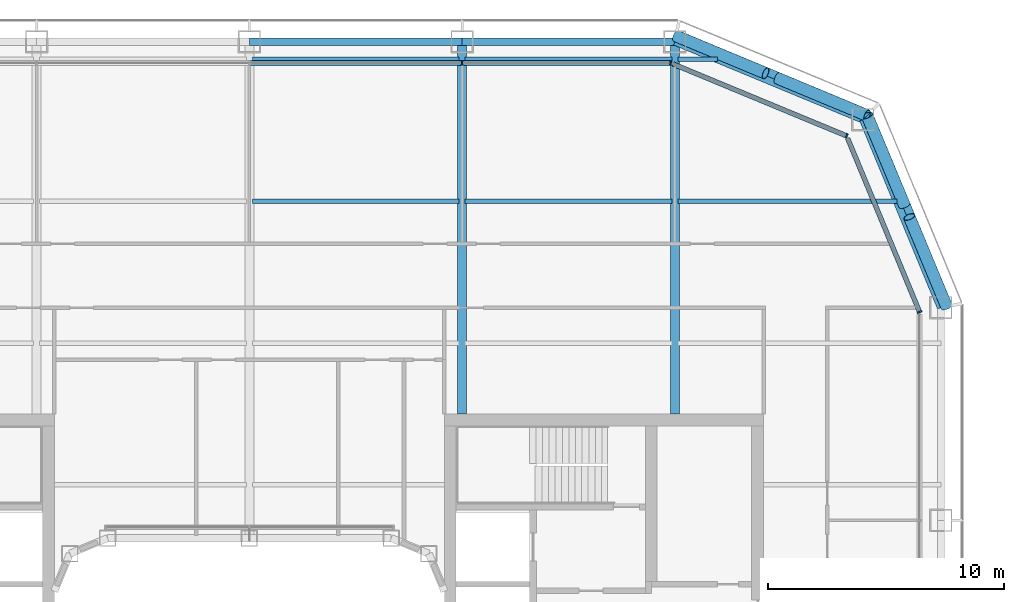
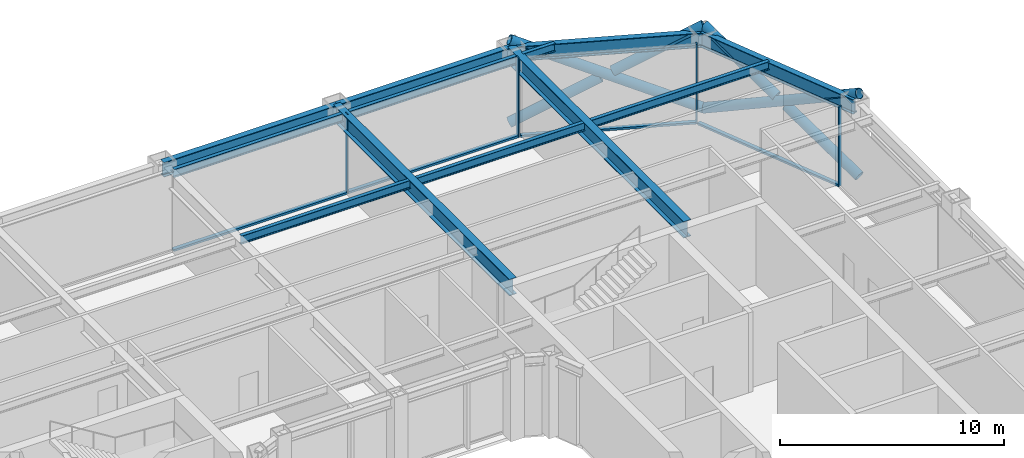
# One storey, part 9 of 23: 14 members, 12 beams, 3 elements without a shape of their own.
"""IFC4 building model written with IfcOpenShell, lengths in metres."""

from ifc_helpers import new_model, si_unit, direction, frame, origin, origin_2d, place, context, subcontext, project, spatial, rectangle, hollow_circle, i_section, extrude, material, layer, layer_set, material_profile, profile_set, type_object, element, aggregate, save


model = new_model("IFC4")

# Units and contexts
model_context = context("Model", 3, precision=1e-05, world=origin(), true_north=direction((0.0, 1.0)))
body_context = subcontext(model_context, "Body", "Model", "MODEL_VIEW")
ifc_project = project(units=[si_unit("LENGTHUNIT", "METRE"), si_unit("AREAUNIT", "SQUARE_METRE"), si_unit("VOLUMEUNIT", "CUBIC_METRE"), si_unit("PLANEANGLEUNIT", "RADIAN"), si_unit("MASSUNIT", "GRAM", prefix="KILO")], contexts=[model_context])

# Site, building, storey
site_placement = place(None, origin())
site = spatial("IfcSite", under=ifc_project, at=site_placement, CompositionType="ELEMENT")
building_placement = place(site_placement, origin())
building = spatial("IfcBuilding", under=site, at=building_placement, Name="Siwar Civic Tower", CompositionType="ELEMENT")
storey_placement = place(building_placement, frame((0.0, 0.0, 127.199951171875)))
storey = spatial("IfcBuildingStorey", under=building, at=storey_placement, Name="L27", CompositionType="ELEMENT", Elevation=127.199951171875)

# Curtain wall, member
ifc_material_1 = material(Name="Aluminium clad insulated panel", Category="aluminium")
ifc_layer_1 = layer(ifc_material_1, 0.199951171875)
ifc_layer_set_1 = layer_set([ifc_layer_1], Name="Aluminium clad insulated panel")
curtain_wall_type_1 = type_object("IfcCurtainWallType", Name="ENV-CW-BX", PredefinedType="NOTDEFINED", material=ifc_layer_set_1)
curtain_wall_1_placement = place(storey_placement, origin())
curtain_wall_1 = element("IfcCurtainWall", 1, at=curtain_wall_1_placement, inside=storey, type_object=curtain_wall_type_1, Name="Curtain wall B NE1", PredefinedType="NOTDEFINED")
ifc_material_2 = material(Name="Aluminium 6063-T6", Category="aluminium")
ifc_material_profile_1 = material_profile(ifc_material_2, rectangle(XDim=0.199951171875, YDim=0.06494140625, at=origin_2d()), Name="AL 200x65")
ifc_profile_set_1 = profile_set([ifc_material_profile_1], Name="Aluminium 6063-T6")
member_type_1 = type_object("IfcMemberType", Name="ENV-MULLION-B", PredefinedType="MULLION", material=ifc_profile_set_1)
member_1_placement = place(storey_placement, frame((28.35009765625, 17.821044921875, 0.0), z_axis=(0.0, 0.0, 1.0), x_axis=(-0.923879532511, -0.382683432365, 0.0)))
member_1 = element("IfcMember", 2, at=member_1_placement, type_object=member_type_1, Name="Mullion B NE1 1", PredefinedType="MULLION", context=body_context, shape_type="SweptSolid", body=[
    extrude(rectangle(XDim=0.199951171875, YDim=0.06494140625, at=origin_2d()), origin(), (0.0, 0.0, 1.0), 4.35009765625),
])

curtain_wall_2_placement = place(storey_placement, origin())
curtain_wall_2 = element("IfcCurtainWall", 3, at=curtain_wall_2_placement, inside=storey, type_object=curtain_wall_type_1, Name="Curtain wall B NE2", PredefinedType="NOTDEFINED")
member_2_placement = place(storey_placement, frame((25.26611328125, 25.26611328125, 0.0), z_axis=(0.0, 0.0, 1.0), x_axis=(-0.382683432365, -0.923879532511, 0.0)))
member_2 = element("IfcMember", 4, at=member_2_placement, type_object=member_type_1, Name="Mullion B NE2 1", PredefinedType="MULLION", context=body_context, shape_type="SweptSolid", body=[
    extrude(rectangle(XDim=0.199951171875, YDim=0.06494140625, at=origin_2d()), origin(), (0.0, 0.0, 1.0), 4.35009765625),
])

# Curtain wall, members
ifc_material_3 = material(Name="Aluminium and glass", Category="aluminium")
ifc_layer_2 = layer(ifc_material_3, 0.199951171875)
ifc_layer_set_2 = layer_set([ifc_layer_2], Name="Aluminium and glass")
curtain_wall_type_2 = type_object("IfcCurtainWallType", Name="ENV-CW-B", PredefinedType="NOTDEFINED", material=ifc_layer_set_2)
curtain_wall_3_placement = place(storey_placement, origin())
curtain_wall_3 = element("IfcCurtainWall", 5, at=curtain_wall_3_placement, inside=storey, type_object=curtain_wall_type_2, Name="Curtain wall B N", PredefinedType="NOTDEFINED")
member_3_placement = place(storey_placement, frame((17.821044921875, 28.35009765625, 0.0), z_axis=(0.0, 0.0, 1.0), x_axis=(0.0, -1.0, 0.0)))
member_3 = element("IfcMember", 6, at=member_3_placement, type_object=member_type_1, Name="Mullion B N 1", PredefinedType="MULLION", context=body_context, shape_type="SweptSolid", body=[
    extrude(rectangle(XDim=0.199951171875, YDim=0.06494140625, at=origin_2d()), origin(), (0.0, 0.0, 1.0), 4.35009765625),
])
member_4_placement = place(storey_placement, frame((9.0, 28.35009765625, 0.0), z_axis=(0.0, 0.0, 1.0), x_axis=(0.0, -1.0, 0.0)))
member_4 = element("IfcMember", 7, at=member_4_placement, type_object=member_type_1, Name="Mullion B N 2", PredefinedType="MULLION", context=body_context, shape_type="SweptSolid", body=[
    extrude(rectangle(XDim=0.199951171875, YDim=0.06494140625, at=origin_2d()), origin(), (0.0, 0.0, 1.0), 4.35009765625),
])

# Member
ifc_material_4 = material(Name="Aluminium 6063-T6", Category="aluminium")
ifc_material_profile_2 = material_profile(ifc_material_4, rectangle(XDim=0.199951171875, YDim=0.110107421875, at=origin_2d()), Name="AL 200x110")
ifc_profile_set_2 = profile_set([ifc_material_profile_2], Name="Aluminium 6063-T6")
member_type_2 = type_object("IfcMemberType", Name="ENV-TRANSOM-B", PredefinedType="USERDEFINED", material=ifc_profile_set_2)
member_5_placement = place(storey_placement, frame((28.337646484375, 17.85107421875, 0.054931640625), z_axis=(-0.382699695651, 0.92387279587, 0.0), x_axis=(-0.92387279587, -0.382699695651, 0.0)))
member_5 = element("IfcMember", 8, at=member_5_placement, type_object=member_type_2, Name="Transom B NE1 1", ObjectType="TRANSOM", PredefinedType="USERDEFINED", context=body_context, shape_type="SweptSolid", body=[
    extrude(rectangle(XDim=0.199951171875, YDim=0.110107421875, at=origin_2d()), origin(), (0.0, 0.0, 1.0), 7.912353515625),
])

aggregate(curtain_wall_1, [member_1, member_5])

member_6_placement = place(storey_placement, frame((25.236083984375, 25.278564453125, 0.054931640625), z_axis=(-0.923883705044, 0.382673358825, 0.0), x_axis=(-0.382673358825, -0.923883705044, 0.0)))
member_6 = element("IfcMember", 9, at=member_6_placement, type_object=member_type_2, Name="Transom B NE2 1", ObjectType="TRANSOM", PredefinedType="USERDEFINED", context=body_context, shape_type="SweptSolid", body=[
    extrude(rectangle(XDim=0.199951171875, YDim=0.110107421875, at=origin_2d()), origin(), (0.0, 0.0, 1.0), 7.912353515625),
])

aggregate(curtain_wall_2, [member_2, member_6])

member_7_placement = place(storey_placement, frame((17.78857421875, 28.35009765625, 0.054931640625), z_axis=(-1.0, 0.0, 0.0), x_axis=(0.0, -1.0, 0.0)))
member_7 = element("IfcMember", 10, at=member_7_placement, type_object=member_type_2, Name="Transom B N 1", ObjectType="TRANSOM", PredefinedType="USERDEFINED", context=body_context, shape_type="SweptSolid", body=[
    extrude(rectangle(XDim=0.199951171875, YDim=0.110107421875, at=origin_2d()), origin(), (0.0, 0.0, 1.0), 8.756103515625),
])

member_8_placement = place(storey_placement, frame((8.967529296875, 28.35009765625, 0.054931640625), z_axis=(-1.0, 0.0, 0.0), x_axis=(0.0, -1.0, 0.0)))
member_8 = element("IfcMember", 11, at=member_8_placement, type_object=member_type_2, Name="Transom B N 2", ObjectType="TRANSOM", PredefinedType="USERDEFINED", context=body_context, shape_type="SweptSolid", body=[
    extrude(rectangle(XDim=0.199951171875, YDim=0.110107421875, at=origin_2d()), origin(), (0.0, 0.0, 1.0), 8.93505859375),
])

aggregate(curtain_wall_3, [member_3, member_4, member_7, member_8])

# Members
ifc_material_5 = material(Name="Steel S355", Category="steel")
ifc_material_profile_3 = material_profile(ifc_material_5, hollow_circle(Radius=0.25390625, WallThickness=0.02490234375, at=origin_2d()), Name="CHS508x25")
ifc_profile_set_3 = profile_set([ifc_material_profile_3], Name="Steel S355")
member_type_3 = type_object("IfcMemberType", Name="STR-BR-CHS508x25", PredefinedType="BRACE", material=ifc_profile_set_3)
member_9_placement = place(storey_placement, frame((26.1318359375, 26.1318359375, 0.0), z_axis=(-0.821142553604, 0.341671493852, 0.457149315816), x_axis=(-0.384163874976, -0.923264922524, 0.0)))
element("IfcMember", 12, at=member_9_placement, inside=storey, type_object=member_type_3, Name="L27/brc/BNE1-6-0-1", PredefinedType="BRACE", context=body_context, shape_type="SweptSolid", body=[
    extrude(hollow_circle(Radius=0.25390625, WallThickness=0.02490234375, at=origin_2d()), origin(), (0.0, 0.0, 1.0), 9.843505859375),
])
for number, where, z_axis, x_axis, name in (
    (13, (18.048828125, 29.4951171875, 0.0), (0.821126041429, -0.341677318012, 0.457174621391), (0.384176042158, 0.923259859753, 0.0), "L27/brc/BNE1-6-0-2"),
    (14, (22.342529296875, 27.70849609375, 2.390625), (0.821163134736, -0.341670737976, 0.457112910516), (0.384154943021, 0.923268638995, 0.0), "L27/brc/BNE1-6-0-3"),
):
    element("IfcMember", number, at=place(storey_placement, frame(where, z_axis=z_axis, x_axis=x_axis)), inside=storey, type_object=member_type_3, Name=name, PredefinedType="BRACE", context=body_context, shape_type="SweptSolid", body=[
        extrude(hollow_circle(Radius=0.25390625, WallThickness=0.02490234375, at=origin_2d()), origin(), (0.0, 0.0, 1.0), 4.614501953125),
    ])
member_10_placement = place(storey_placement, frame((26.1318359375, 26.1318359375, 0.0), z_axis=(0.341671493852, -0.821142553604, 0.457149315816), x_axis=(0.923264922524, 0.384163874976, 0.0)))
element("IfcMember", 15, at=member_10_placement, inside=storey, type_object=member_type_3, Name="L27/brc/BNE1-6-0-0", PredefinedType="BRACE", context=body_context, shape_type="SweptSolid", body=[
    extrude(hollow_circle(Radius=0.25390625, WallThickness=0.02490234375, at=origin_2d()), origin(), (0.0, 0.0, 1.0), 9.843505859375),
])
for number, where, z_axis, x_axis, name in (
    (16, (29.4951171875, 18.048828125, 0.0), (-0.341677318012, 0.821126041429, 0.457174621391), (-0.923259859753, -0.384176042158, 0.0), "L27/brc/BNE1-6-0-4"),
    (17, (27.70849609375, 22.342529296875, 2.390625), (-0.341670737976, 0.821163134736, 0.457112910516), (-0.923268638995, -0.384154943021, 0.0), "L27/brc/BNE1-6-0-5"),
):
    element("IfcMember", number, at=place(storey_placement, frame(where, z_axis=z_axis, x_axis=x_axis)), inside=storey, type_object=member_type_3, Name=name, PredefinedType="BRACE", context=body_context, shape_type="SweptSolid", body=[
        extrude(hollow_circle(Radius=0.25390625, WallThickness=0.02490234375, at=origin_2d()), origin(), (0.0, 0.0, 1.0), 4.614501953125),
    ])

# Beams
ifc_material_6 = material(Name="Steel S355", Category="steel")
ifc_material_profile_4 = material_profile(ifc_material_6, i_section(OverallWidth=0.18994140625, OverallDepth=0.449951171875, WebThickness=0.009521484375, FlangeThickness=0.0146484375, FilletRadius=0.02099609375, at=origin_2d()), Name="IPE450")
ifc_profile_set_4 = profile_set([ifc_material_profile_4], Name="Steel S355")
beam_type_1 = type_object("IfcBeamType", Name="STR-FB-IPE450", PredefinedType="JOIST", material=ifc_profile_set_4)
for number, where, z_axis, x_axis, name in (
    (18, (0.1298828125, 22.5, 4.125), (1.0, 0.0, 0.0), (0.0, 1.0, 0.0), "L27/bm/F040"),
    (19, (9.1298828125, 22.5, 4.125), (1.0, 0.0, 0.0), (0.0, 1.0, 0.0), "L27/bm/F041"),
):
    element("IfcBeam", number, at=place(storey_placement, frame(where, z_axis=z_axis, x_axis=x_axis)), inside=storey, type_object=beam_type_1, Name=name, PredefinedType="JOIST", context=body_context, shape_type="SweptSolid", body=[
        extrude(i_section(OverallWidth=0.18994140625, OverallDepth=0.449951171875, WebThickness=0.009521484375, FlangeThickness=0.0146484375, FilletRadius=0.02099609375, at=origin_2d()), origin(), (0.0, 0.0, 1.0), 8.740234375),
    ])
beam_1_placement = place(storey_placement, frame((18.1298828125, 22.5, 4.125), z_axis=(1.0, 0.0, 0.0), x_axis=(0.0, 1.0, 0.0)))
element("IfcBeam", 20, at=beam_1_placement, inside=storey, type_object=beam_type_1, Name="L27/bm/F042", PredefinedType="JOIST", context=body_context, shape_type="SweptSolid", body=[
    extrude(i_section(OverallWidth=0.18994140625, OverallDepth=0.449951171875, WebThickness=0.009521484375, FlangeThickness=0.0146484375, FilletRadius=0.02099609375, at=origin_2d()), origin(), (0.0, 0.0, 1.0), 9.256103515625),
])
for number, where, z_axis, x_axis, name in (
    (21, (0.1298828125, 28.5, 4.125), (1.0, 0.0, 0.0), (0.0, 1.0, 0.0), "L27/bm/F046"),
    (22, (9.1298828125, 28.5, 4.125), (1.0, 0.0, 0.0), (0.0, 1.0, 0.0), "L27/bm/F047"),
):
    element("IfcBeam", number, at=place(storey_placement, frame(where, z_axis=z_axis, x_axis=x_axis)), inside=storey, type_object=beam_type_1, Name=name, PredefinedType="JOIST", context=body_context, shape_type="SweptSolid", body=[
        extrude(i_section(OverallWidth=0.18994140625, OverallDepth=0.449951171875, WebThickness=0.009521484375, FlangeThickness=0.0146484375, FilletRadius=0.02099609375, at=origin_2d()), origin(), (0.0, 0.0, 1.0), 8.740234375),
    ])
beam_2_placement = place(storey_placement, frame((18.1298828125, 28.5, 4.125), z_axis=(1.0, 0.0, 0.0), x_axis=(0.0, 1.0, 0.0)))
element("IfcBeam", 23, at=beam_2_placement, inside=storey, type_object=beam_type_1, Name="L27/bm/F048", PredefinedType="JOIST", context=body_context, shape_type="SweptSolid", body=[
    extrude(i_section(OverallWidth=0.18994140625, OverallDepth=0.449951171875, WebThickness=0.009521484375, FlangeThickness=0.0146484375, FilletRadius=0.02099609375, at=origin_2d()), origin(), (0.0, 0.0, 1.0), 1.6806640625),
])
ifc_material_7 = material(Name="Steel S355", Category="steel")
ifc_material_profile_5 = material_profile(ifc_material_7, i_section(OverallWidth=0.3798828125, OverallDepth=0.89990234375, WebThickness=0.01611328125, FlangeThickness=0.035888671875, at=origin_2d()), Name="PG900x380x16x36")
ifc_profile_set_5 = profile_set([ifc_material_profile_5], Name="Steel S355")
beam_type_2 = type_object("IfcBeamType", Name="STR-PG-PG900x380x16x36", PredefinedType="BEAM", material=ifc_profile_set_5)
for number, where, z_axis, x_axis, name in (
    (24, (9.0, 13.5, 3.900146484375), (0.0, 1.0, 0.0), (-1.0, 0.0, 0.0), "L27/bm/G08"),
    (25, (18.0, 13.5, 3.900146484375), (0.0, 1.0, 0.0), (-1.0, 0.0, 0.0), "L27/bm/G10"),
):
    element("IfcBeam", number, at=place(storey_placement, frame(where, z_axis=z_axis, x_axis=x_axis)), inside=storey, type_object=beam_type_2, Name=name, PredefinedType="BEAM", context=body_context, shape_type="SweptSolid", body=[
        extrude(i_section(OverallWidth=0.3798828125, OverallDepth=0.89990234375, WebThickness=0.01611328125, FlangeThickness=0.035888671875, at=origin_2d()), origin(), (0.0, 0.0, 1.0), 15.75),
    ])
ifc_material_8 = material(Name="Steel S355", Category="steel")
ifc_material_profile_6 = material_profile(ifc_material_8, i_section(OverallWidth=0.300048828125, OverallDepth=0.800048828125, WebThickness=0.017578125, FlangeThickness=0.032958984375, FilletRadius=0.030029296875, at=origin_2d()), Name="HEB800")
ifc_profile_set_6 = profile_set([ifc_material_profile_6], Name="Steel S355")
beam_type_3 = type_object("IfcBeamType", Name="STR-SB-HEB800", PredefinedType="BEAM", material=ifc_profile_set_6)
for number, where, z_axis, x_axis, name in (
    (26, (29.25, 18.0, 3.949951171875), (-0.382699877515, 0.923872720536, 0.0), (-0.923872720536, -0.382699877515, 0.0), "L27/bm/SNE1-0"),
    (27, (25.954833984375, 25.954833984375, 3.949951171875), (-0.923872720536, 0.382699877515, 0.0), (-0.382699877515, -0.923872720536, 0.0), "L27/bm/SNE2-0"),
):
    element("IfcBeam", number, at=place(storey_placement, frame(where, z_axis=z_axis, x_axis=x_axis)), inside=storey, type_object=beam_type_3, Name=name, PredefinedType="BEAM", context=body_context, shape_type="SweptSolid", body=[
        extrude(i_section(OverallWidth=0.300048828125, OverallDepth=0.800048828125, WebThickness=0.017578125, FlangeThickness=0.032958984375, FilletRadius=0.030029296875, at=origin_2d()), origin(), (0.0, 0.0, 1.0), 8.6103515625),
    ])
for number, where, z_axis, x_axis, name in (
    (28, (18.0, 29.25, 3.949951171875), (-1.0, 0.0, 0.0), (0.0, -1.0, 0.0), "L27/bm/SN-0"),
    (29, (9.0, 29.25, 3.949951171875), (-1.0, 0.0, 0.0), (0.0, -1.0, 0.0), "L27/bm/SN-1"),
):
    element("IfcBeam", number, at=place(storey_placement, frame(where, z_axis=z_axis, x_axis=x_axis)), inside=storey, type_object=beam_type_3, Name=name, PredefinedType="BEAM", context=body_context, shape_type="SweptSolid", body=[
        extrude(i_section(OverallWidth=0.300048828125, OverallDepth=0.800048828125, WebThickness=0.017578125, FlangeThickness=0.032958984375, FilletRadius=0.030029296875, at=origin_2d()), origin(), (0.0, 0.0, 1.0), 9.0),
    ])

save(model, "model.ifc")
